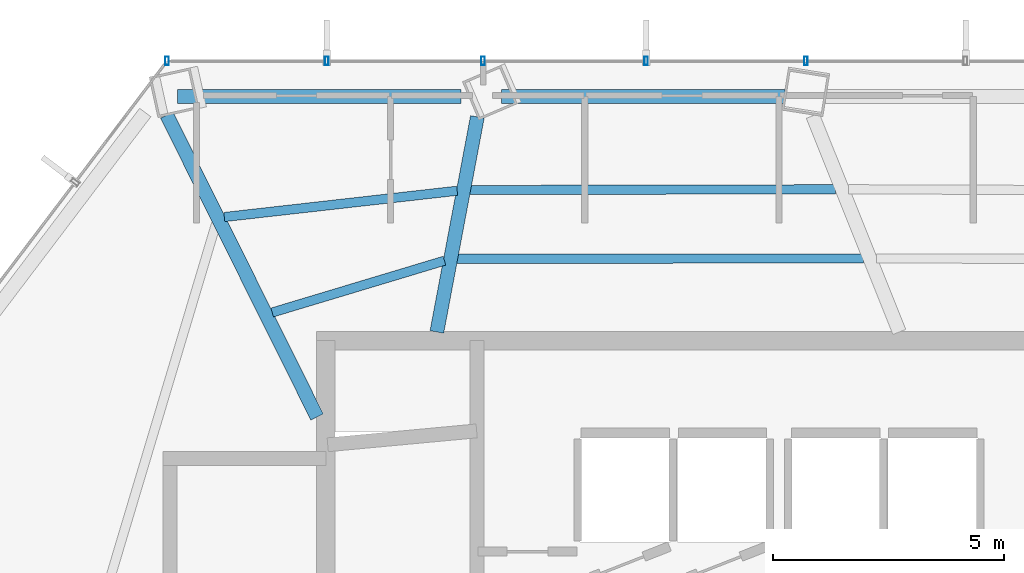
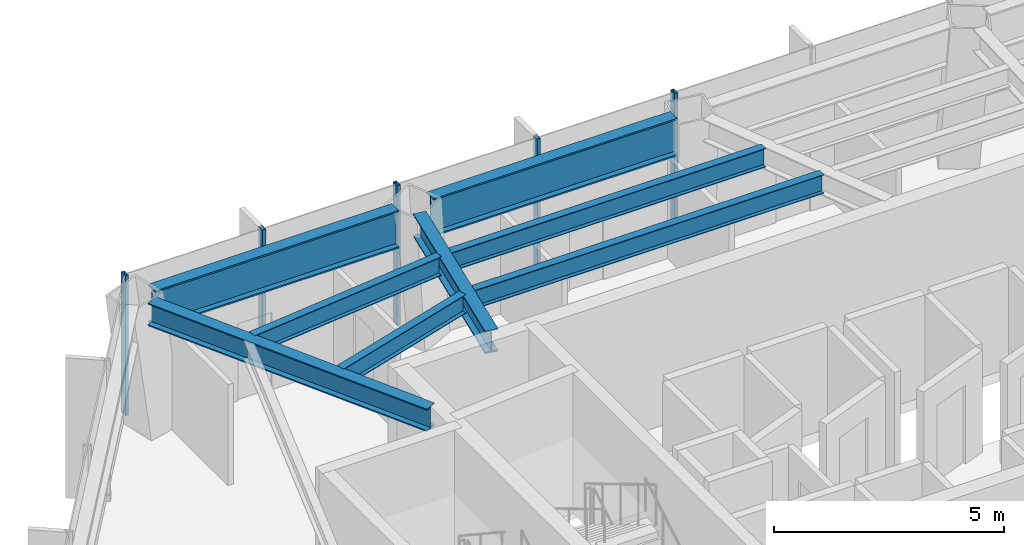
# One storey, part 12 of 25: 8 beams, 5 members, 1 element without a shape of its own.
"""IFC4 building model written with IfcOpenShell, lengths in metres."""

import ifcopenshell
import ifcopenshell.guid

model = None  # the IFC model being written
_history = None  # IfcOwnerHistory: only IFC2X3 demands one
_inside = {}  # id of a spatial element -> (the spatial element, [elements in it])
_under = {}  # id of a project, library or spatial element -> (it, [spatial elements below it])
_declared = {}  # id of a project -> (the project, [libraries it declares])
_typed = {}  # id of a type object -> (the type object, [elements of that type])
_made_of = {}  # id of a material, layer set ... -> (it, [elements and type objects made of it])


def new_model(schema):
    """Start an empty IFC model of exactly this schema.

    Asked for "IFC4X3", IfcOpenShell would pick the latest addendum, in which some entities
    have other attributes; the version numbers below select the first issue.
    IFC2X3 requires an IfcOwnerHistory on every rooted entity: one is made here for all.
    """
    global model, _history
    if schema == "IFC4X3":
        model = ifcopenshell.file(schema_version=(4, 3, 0, 0))
    else:
        model = ifcopenshell.file(schema=schema)
    _inside.clear()
    _under.clear()
    _declared.clear()
    _typed.clear()
    _made_of.clear()
    _history = None
    if model.schema == "IFC2X3":
        org = make("IfcOrganization", Name="unknown")
        user = make(
            "IfcPersonAndOrganization",
            ThePerson=make("IfcPerson", FamilyName="unknown"),
            TheOrganization=org,
        )
        app = make(
            "IfcApplication",
            ApplicationDeveloper=org,
            Version="unknown",
            ApplicationFullName="unknown",
            ApplicationIdentifier="unknown",
        )
        _history = make(
            "IfcOwnerHistory",
            OwningUser=user,
            OwningApplication=app,
            ChangeAction="ADDED",
            CreationDate=0,
        )
    return model


def make(cls, **values):
    """One entity of the class cls with the attributes given. An attribute that is None is left unset."""
    return model.create_entity(
        cls, **{name: value for name, value in values.items() if value is not None}
    )


def rooted(cls, **values):
    """An entity with a GlobalId (a new one), such as an element, a storey or a relation."""
    return make(cls, GlobalId=ifcopenshell.guid.new(), OwnerHistory=_history, **values)


def si_unit(unit_type, name, prefix=None):
    """IfcSIUnit, for example si_unit("LENGTHUNIT", "METRE", prefix="MILLI")."""
    return make("IfcSIUnit", UnitType=unit_type, Prefix=prefix, Name=name)


def assignment(units):
    """IfcUnitAssignment: the units of a project."""
    return None if units is None else make("IfcUnitAssignment", Units=units)


def point(xyz):
    """IfcCartesianPoint."""
    return None if xyz is None else make("IfcCartesianPoint", Coordinates=xyz)


def direction(xyz):
    """IfcDirection."""
    return None if xyz is None else make("IfcDirection", DirectionRatios=xyz)


def frame(location, z_axis=None, x_axis=None):
    """IfcAxis2Placement3D, a coordinate frame: its origin and axes. An axis left out is left unset."""
    return make(
        "IfcAxis2Placement3D",
        Location=point(location),
        Axis=direction(z_axis),
        RefDirection=direction(x_axis),
    )


def frame_2d(location, x_axis=None):
    """IfcAxis2Placement2D, a coordinate frame in the plane: its origin and x axis."""
    return make(
        "IfcAxis2Placement2D", Location=point(location), RefDirection=direction(x_axis)
    )


def origin():
    """The frame at (0, 0, 0) with its axes left unset."""
    return frame((0.0, 0.0, 0.0))


def origin_2d():
    """The frame at (0, 0) in the plane with its x axis left unset."""
    return frame_2d((0.0, 0.0))


def place(relative_to, where):
    """IfcLocalPlacement: puts the frame where relative to a parent placement (None: the world)."""
    return make(
        "IfcLocalPlacement", PlacementRelTo=relative_to, RelativePlacement=where
    )


def context(
    kind, dimensions, precision=None, world=None, true_north=None, identifier=None
):
    """IfcGeometricRepresentationContext, for example the 3D "Model" context."""
    return make(
        "IfcGeometricRepresentationContext",
        ContextIdentifier=identifier,
        ContextType=kind,
        CoordinateSpaceDimension=dimensions,
        Precision=precision,
        WorldCoordinateSystem=world,
        TrueNorth=true_north,
    )


def subcontext(parent, identifier, kind, view, scale=None):
    """IfcGeometricRepresentationSubContext, for example "Body" below "Model"."""
    return make(
        "IfcGeometricRepresentationSubContext",
        ContextIdentifier=identifier,
        ContextType=kind,
        ParentContext=parent,
        TargetScale=scale,
        TargetView=view,
    )


def project(units=None, contexts=None):
    """IfcProject with its units and contexts."""
    return rooted(
        "IfcProject",
        Name="project",
        RepresentationContexts=contexts,
        UnitsInContext=assignment(units),
    )


def spatial(cls, under=None, at=None, **own):
    """A site, building, storey or space (cls), placed at a placement, below another one or the project."""
    s = rooted(cls, ObjectPlacement=at, **own)
    if under is not None:
        _under.setdefault(under.id(), (under, []))[1].append(s)
    return s


def profile(cls, at=None, kind="AREA", **sizes):
    """A parametric profile (cls). Its sizes go by their IFC names, for example OverallWidth=200.0."""
    return make(cls, ProfileType=kind, Position=at, **sizes)


def hollow_rectangle(**sizes):
    """IfcRectangleHollowProfileDef."""
    return profile("IfcRectangleHollowProfileDef", **sizes)


def i_section(**sizes):
    """IfcIShapeProfileDef."""
    return profile("IfcIShapeProfileDef", **sizes)


def extrude(swept, where, along, depth):
    """IfcExtrudedAreaSolid: the profile swept, set in the frame where, extruded along a direction by depth."""
    return make(
        "IfcExtrudedAreaSolid",
        SweptArea=swept,
        Position=where,
        ExtrudedDirection=direction(along),
        Depth=depth,
    )


def shape(context_of_items, identifier, shape_type, items):
    """IfcShapeRepresentation: the items that make up one representation, for example the "Body"."""
    return make(
        "IfcShapeRepresentation",
        ContextOfItems=context_of_items,
        RepresentationIdentifier=identifier,
        RepresentationType=shape_type,
        Items=items,
    )


def material(Name=None, Category=None):
    """IfcMaterial."""
    return make("IfcMaterial", Name=Name, Category=Category)


def layer(
    of_material, thickness, ventilated=None, Name=None, Category=None, Priority=None
):
    """IfcMaterialLayer: one layer of a wall or slab, of a material (None: an air gap)."""
    return make(
        "IfcMaterialLayer",
        Material=of_material,
        LayerThickness=thickness,
        IsVentilated=ventilated,
        Name=Name,
        Category=Category,
        Priority=Priority,
    )


def layer_set(layers, Name=None):
    """IfcMaterialLayerSet."""
    return make("IfcMaterialLayerSet", MaterialLayers=layers, LayerSetName=Name)


def material_profile(
    of_material, cross_section, Name=None, Category=None, Priority=None
):
    """IfcMaterialProfile: a cross section and its material."""
    return make(
        "IfcMaterialProfile",
        Name=Name,
        Material=of_material,
        Profile=cross_section,
        Priority=Priority,
        Category=Category,
    )


def profile_set(profiles, Name=None, composite=None):
    """IfcMaterialProfileSet."""
    return make(
        "IfcMaterialProfileSet",
        Name=Name,
        MaterialProfiles=profiles,
        CompositeProfile=composite,
    )


def made_of(thing, what):
    """Note that an element or type object is made of a material, layer set ...; save() writes the relation."""
    if what is not None:
        _made_of.setdefault(what.id(), (what, []))[1].append(thing)
    return thing


def type_object(cls, material=None, **own):
    """A type object (cls), such as IfcWallType, which elements share."""
    return made_of(rooted(cls, **own), material)


def element(
    cls,
    number,
    at=None,
    inside=None,
    cuts=None,
    type_object=None,
    material=None,
    context=None,
    identifier="Body",
    shape_type=None,
    held_by="IfcProductDefinitionShape",
    body=None,
    shapes=None,
    **own,
):
    """One element of the class cls, such as IfcWall. Its Tag is "e" and its number.

    at: its placement. inside: the storey or other place that contains it. cuts: it is an
    opening in that element (IfcRelVoidsElement). A single representation is given by context,
    identifier, shape_type and body (its items); several are given by shapes. held_by: the class
    of the entity that holds the representations. save() writes the other relations.
    """
    e = rooted(cls, Tag="e%d" % number, ObjectPlacement=at, **own)
    if body is not None:
        shapes = [shape(context, identifier, shape_type, body)]
    if shapes is not None:
        e.Representation = make(held_by, Representations=shapes)
    if inside is not None:
        _inside.setdefault(inside.id(), (inside, []))[1].append(e)
    if cuts is not None:
        rooted(
            "IfcRelVoidsElement", RelatingBuildingElement=cuts, RelatedOpeningElement=e
        )
    if type_object is not None:
        _typed.setdefault(type_object.id(), (type_object, []))[1].append(e)
    return made_of(e, material)


def aggregate(whole, parts):
    """IfcRelAggregates: a whole, such as a stair, and the parts it consists of."""
    return rooted("IfcRelAggregates", RelatingObject=whole, RelatedObjects=parts)


def save(model, path):
    """Write the relations noted so far, then the file.

    IfcRelAggregates (storeys below a building ...), IfcRelContainedInSpatialStructure (elements
    in a storey), IfcRelDefinesByType, IfcRelAssociatesMaterial and IfcRelDeclares: one each for
    every whole, place, type object, material and project.
    """
    for whole, parts in _under.values():
        aggregate(whole, parts)
    for where, things in _inside.values():
        rooted(
            "IfcRelContainedInSpatialStructure",
            RelatedElements=things,
            RelatingStructure=where,
        )
    for kind, things in _typed.values():
        rooted("IfcRelDefinesByType", RelatedObjects=things, RelatingType=kind)
    for what, things in _made_of.values():
        rooted("IfcRelAssociatesMaterial", RelatedObjects=things, RelatingMaterial=what)
    for by, libraries in _declared.values():
        rooted("IfcRelDeclares", RelatingContext=by, RelatedDefinitions=libraries)
    model.write(path)


model = new_model("IFC4")

# Units and contexts
model_context = context("Model", 3, precision=1e-05, world=origin(), true_north=direction((0.0, 1.0)))
body_context = subcontext(model_context, "Body", "Model", "MODEL_VIEW")
ifc_project = project(units=[si_unit("LENGTHUNIT", "METRE"), si_unit("AREAUNIT", "SQUARE_METRE"), si_unit("VOLUMEUNIT", "CUBIC_METRE"), si_unit("PLANEANGLEUNIT", "RADIAN"), si_unit("MASSUNIT", "GRAM", prefix="KILO")], contexts=[model_context])

# Site, building, storey
site_placement = place(None, origin())
site = spatial("IfcSite", under=ifc_project, at=site_placement, CompositionType="ELEMENT")
building_placement = place(site_placement, origin())
building = spatial("IfcBuilding", under=site, at=building_placement, Name="Zarrinselat Tower", CompositionType="ELEMENT")
storey_placement = place(building_placement, frame((0.0, 0.0, 105.06005859375)))
storey = spatial("IfcBuildingStorey", under=building, at=storey_placement, Name="L25", CompositionType="ELEMENT", Elevation=105.06005859375)

# Beams
ifc_material_1 = material(Name="Steel S355J2", Category="steel")
ifc_material_profile_1 = material_profile(ifc_material_1, i_section(OverallWidth=0.300048828125, OverallDepth=0.60009765625, WebThickness=0.015380859375, FlangeThickness=0.030029296875, at=origin_2d()), Name="HEB 600")
ifc_profile_set_1 = profile_set([ifc_material_profile_1], Name="Steel S355J2")
beam_type_1 = type_object("IfcBeamType", Name="BM-HEB600", PredefinedType="BEAM", material=ifc_profile_set_1)
beam_1_placement = place(storey_placement, frame((31.0, 43.639892578125, 3.429931640625), z_axis=(0.185107922941, 0.982718198094, 0.0), x_axis=(-0.982718198094, 0.185107922941, 0.0)))
element("IfcBeam", 1, at=beam_1_placement, inside=storey, type_object=beam_type_1, Name="L25 Radial Primary Girder RG04", PredefinedType="BEAM", context=body_context, shape_type="SweptSolid", body=[
    extrude(i_section(OverallWidth=0.300048828125, OverallDepth=0.60009765625, WebThickness=0.015380859375, FlangeThickness=0.030029296875, at=origin_2d()), origin(), (0.0, 0.0, 1.0), 4.73095703125),
])
beam_2_placement = place(storey_placement, frame((25.159912109375, 48.32861328125, 3.429931640625), z_axis=(0.445646184543, -0.895209181255, 0.0), x_axis=(0.895209181255, 0.445646184543, 0.0)))
element("IfcBeam", 2, at=beam_2_placement, inside=storey, type_object=beam_type_1, Name="L25 Radial Primary Girder RG05", PredefinedType="BEAM", context=body_context, shape_type="SweptSolid", body=[
    extrude(i_section(OverallWidth=0.300048828125, OverallDepth=0.60009765625, WebThickness=0.015380859375, FlangeThickness=0.030029296875, at=origin_2d()), origin(), (0.0, 0.0, 1.0), 7.292724609375),
])
ifc_material_2 = material(Name="Steel S460M", Category="steel")
ifc_material_profile_2 = material_profile(ifc_material_2, i_section(OverallWidth=0.302001953125, OverallDepth=1.008056640625, WebThickness=0.02099609375, FlangeThickness=0.0400390625, at=origin_2d()), Name="HEM 1000")
ifc_profile_set_2 = profile_set([ifc_material_profile_2], Name="Steel S460M")
beam_type_2 = type_object("IfcBeamType", Name="BM-HEM1000", PredefinedType="BEAM", material=ifc_profile_set_2)
for number, where, z_axis, x_axis, name in (
    (3, (32.3974609375, 48.7333984375, 3.225830078125), (1.0, 0.0, 0.0), (0.0, 1.0, 0.0), "L25 Perimeter Spandrel Girder SP03"),
    (4, (25.396484375, 48.7333984375, 3.225830078125), (1.0, 0.0, 0.0), (0.0, 1.0, 0.0), "L25 Perimeter Spandrel Girder SP04"),
):
    element("IfcBeam", number, at=place(storey_placement, frame(where, z_axis=z_axis, x_axis=x_axis)), inside=storey, type_object=beam_type_2, Name=name, PredefinedType="BEAM", context=body_context, shape_type="SweptSolid", body=[
        extrude(i_section(OverallWidth=0.302001953125, OverallDepth=1.008056640625, WebThickness=0.02099609375, FlangeThickness=0.0400390625, at=origin_2d()), origin(), (0.0, 0.0, 1.0), 6.125),
    ])
ifc_material_3 = material(Name="Steel S355J2", Category="steel")
ifc_material_profile_3 = material_profile(ifc_material_3, i_section(OverallWidth=0.199951171875, OverallDepth=0.5, WebThickness=0.01025390625, FlangeThickness=0.01611328125, at=origin_2d()), Name="IPE 500")
ifc_profile_set_3 = profile_set([ifc_material_profile_3], Name="Steel S355J2")
beam_type_3 = type_object("IfcBeamType", Name="BM-IPE500", PredefinedType="JOIST", material=ifc_profile_set_3)
beam_3_placement = place(storey_placement, frame((31.718017578125, 46.708740234375, 3.47998046875), z_axis=(0.999998047397, 0.001976158681, 0.0), x_axis=(-0.001976158681, 0.999998047397, 0.0)))
element("IfcBeam", 5, at=beam_3_placement, inside=storey, type_object=beam_type_3, Name="L25 Composite Floor Joist 8-1", PredefinedType="JOIST", context=body_context, shape_type="SweptSolid", body=[
    extrude(i_section(OverallWidth=0.199951171875, OverallDepth=0.5, WebThickness=0.01025390625, FlangeThickness=0.01611328125, at=origin_2d()), origin(), (0.0, 0.0, 1.0), 7.90673828125),
])
beam_4_placement = place(storey_placement, frame((31.437744140625, 45.220703125, 3.47998046875), z_axis=(0.99999955369, 0.000944785195, 0.0), x_axis=(-0.000944785195, 0.99999955369, 0.0)))
element("IfcBeam", 6, at=beam_4_placement, inside=storey, type_object=beam_type_3, Name="L25 Composite Floor Joist 8-2", PredefinedType="JOIST", context=body_context, shape_type="SweptSolid", body=[
    extrude(i_section(OverallWidth=0.199951171875, OverallDepth=0.5, WebThickness=0.01025390625, FlangeThickness=0.01611328125, at=origin_2d()), origin(), (0.0, 0.0, 1.0), 8.785888671875),
])
beam_5_placement = place(storey_placement, frame((26.404052734375, 46.12451171875, 3.47998046875), z_axis=(0.993693653815, 0.112129043373, 0.0), x_axis=(-0.112129043373, 0.993693653815, 0.0)))
element("IfcBeam", 7, at=beam_5_placement, inside=storey, type_object=beam_type_3, Name="L25 Composite Floor Joist 9-1", PredefinedType="JOIST", context=body_context, shape_type="SweptSolid", body=[
    extrude(i_section(OverallWidth=0.199951171875, OverallDepth=0.5, WebThickness=0.01025390625, FlangeThickness=0.01611328125, at=origin_2d()), origin(), (0.0, 0.0, 1.0), 5.066650390625),
])
beam_6_placement = place(storey_placement, frame((27.43896484375, 44.06005859375, 3.47998046875), z_axis=(0.957620467143, 0.288033055235, 0.0), x_axis=(-0.288033055235, 0.957620467143, 0.0)))
element("IfcBeam", 8, at=beam_6_placement, inside=storey, type_object=beam_type_3, Name="L25 Composite Floor Joist 9-2", PredefinedType="JOIST", context=body_context, shape_type="SweptSolid", body=[
    extrude(i_section(OverallWidth=0.199951171875, OverallDepth=0.5, WebThickness=0.01025390625, FlangeThickness=0.01611328125, at=origin_2d()), origin(), (0.0, 0.0, 1.0), 3.8896484375),
])

# Curtain wall, members
ifc_material_4 = material(Name="Extruded Aluminium Alloy EN AW-6063 T6", Category="aluminium")
ifc_layer = layer(ifc_material_4, 0.18505859375)
ifc_layer_set = layer_set([ifc_layer], Name="Extruded Aluminium Alloy EN AW-6063 T6")
curtain_wall_type = type_object("IfcCurtainWallType", Name="CWS-OFF", PredefinedType="NOTDEFINED", material=ifc_layer_set)
curtain_wall_placement = place(storey_placement, origin())
curtain_wall = element("IfcCurtainWall", 9, at=curtain_wall_placement, inside=storey, type_object=curtain_wall_type, Name="L25 Unitised Curtain Wall CW-L25-E01", PredefinedType="NOTDEFINED")
ifc_material_5 = material(Name="Extruded Aluminium Alloy EN AW-6063 T6", Category="aluminium")
ifc_material_profile_4 = material_profile(ifc_material_5, hollow_rectangle(XDim=0.080078125, YDim=0.179931640625, WallThickness=0.0048828125, at=origin_2d()), Name="RHS 180x80x5")
ifc_profile_set_4 = profile_set([ifc_material_profile_4], Name="Extruded Aluminium Alloy EN AW-6063 T6")
member_type = type_object("IfcMemberType", Name="MEM-CW-MUL", PredefinedType="MULLION", material=ifc_profile_set_4)
member_1_placement = place(storey_placement, frame((38.97900390625, 49.5, 0.0), z_axis=(0.0, 0.0, 1.0), x_axis=(-1.0, 0.0, 0.0)))
member_1 = element("IfcMember", 10, at=member_1_placement, type_object=member_type, Name="CW-L25-E01 Mullion 4", PredefinedType="MULLION", context=body_context, shape_type="SweptSolid", body=[
    extrude(hollow_rectangle(XDim=0.080078125, YDim=0.179931640625, WallThickness=0.0048828125, at=origin_2d()), origin(), (0.0, 0.0, 1.0), 3.72998046875),
])
member_2_placement = place(storey_placement, frame((35.525146484375, 49.5, 0.0), z_axis=(0.0, 0.0, 1.0), x_axis=(-1.0, 0.0, 0.0)))
member_2 = element("IfcMember", 11, at=member_2_placement, type_object=member_type, Name="CW-L25-E01 Mullion 5", PredefinedType="MULLION", context=body_context, shape_type="SweptSolid", body=[
    extrude(hollow_rectangle(XDim=0.080078125, YDim=0.179931640625, WallThickness=0.0048828125, at=origin_2d()), origin(), (0.0, 0.0, 1.0), 3.72998046875),
])
member_3_placement = place(storey_placement, frame((32.0, 49.5, 0.0), z_axis=(0.0, 0.0, 1.0), x_axis=(-1.0, 0.0, 0.0)))
member_3 = element("IfcMember", 12, at=member_3_placement, type_object=member_type, Name="CW-L25-E01 Mullion 6", PredefinedType="MULLION", context=body_context, shape_type="SweptSolid", body=[
    extrude(hollow_rectangle(XDim=0.080078125, YDim=0.179931640625, WallThickness=0.0048828125, at=origin_2d()), origin(), (0.0, 0.0, 1.0), 3.72998046875),
])
member_4_placement = place(storey_placement, frame((28.617431640625, 49.5, 0.0), z_axis=(0.0, 0.0, 1.0), x_axis=(-1.0, 0.0, 0.0)))
member_4 = element("IfcMember", 13, at=member_4_placement, type_object=member_type, Name="CW-L25-E01 Mullion 7", PredefinedType="MULLION", context=body_context, shape_type="SweptSolid", body=[
    extrude(hollow_rectangle(XDim=0.080078125, YDim=0.179931640625, WallThickness=0.0048828125, at=origin_2d()), origin(), (0.0, 0.0, 1.0), 3.72998046875),
])
member_5_placement = place(storey_placement, frame((25.16357421875, 49.5, 0.0), z_axis=(0.0, 0.0, 1.0), x_axis=(-1.0, 0.0, 0.0)))
member_5 = element("IfcMember", 14, at=member_5_placement, type_object=member_type, Name="CW-L25-E01 Mullion 8", PredefinedType="MULLION", context=body_context, shape_type="SweptSolid", body=[
    extrude(hollow_rectangle(XDim=0.080078125, YDim=0.179931640625, WallThickness=0.0048828125, at=origin_2d()), origin(), (0.0, 0.0, 1.0), 3.72998046875),
])
aggregate(curtain_wall, [member_1, member_2, member_3, member_4, member_5])

save(model, "model.ifc")
